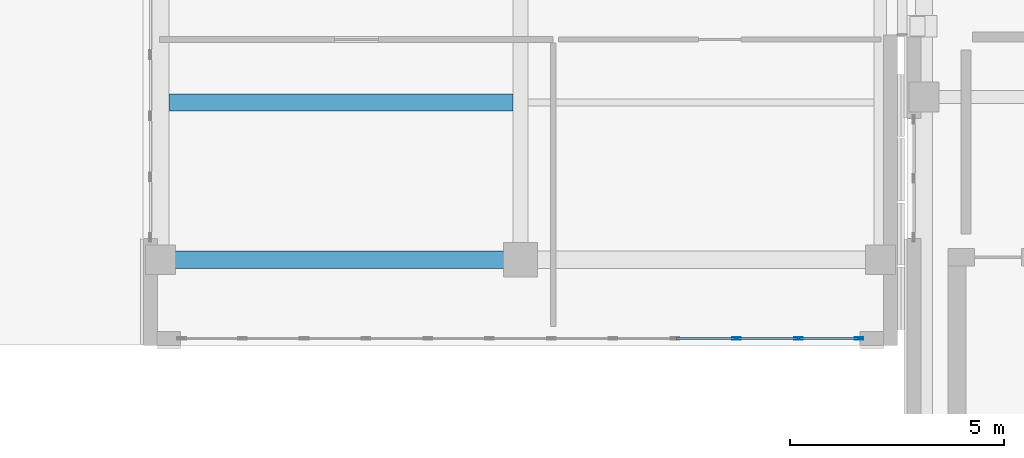
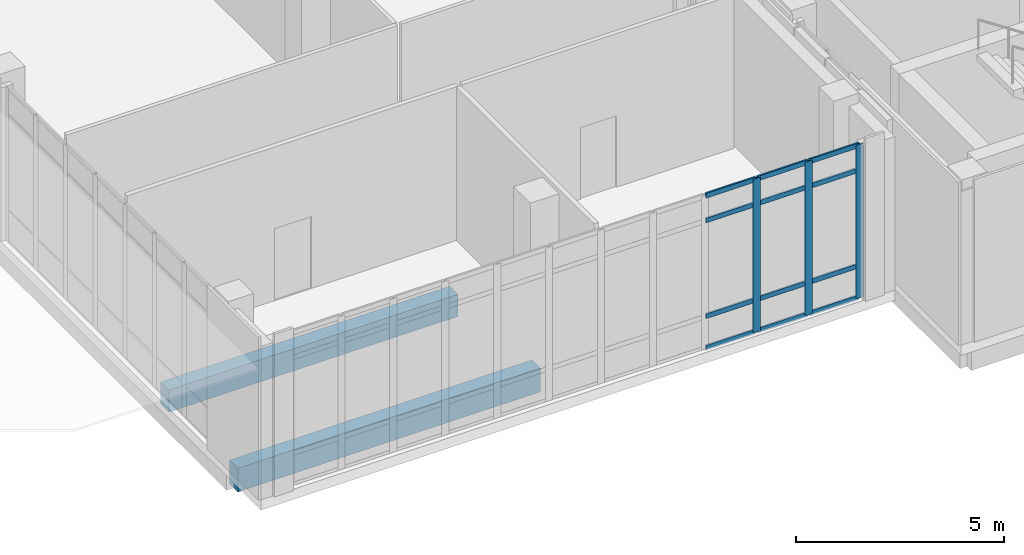
# One storey, part 3 of 189: 15 members, 2 beams, 1 element without a shape of its own.
"""IFC4 building model written with IfcOpenShell, lengths in metres."""

from ifc_helpers import new_model, si_unit, direction, frame, origin, origin_2d, place, context, subcontext, project, spatial, rectangle, hollow_rectangle, extrude, material, layer, layer_set, material_profile, profile_set, type_object, element, aggregate, save


model = new_model("IFC4")

# Units and contexts
model_context = context("Model", 3, precision=1e-05, world=origin(), true_north=direction((0.0, 1.0)))
body_context = subcontext(model_context, "Body", "Model", "MODEL_VIEW")
ifc_project = project(units=[si_unit("LENGTHUNIT", "METRE"), si_unit("AREAUNIT", "SQUARE_METRE"), si_unit("VOLUMEUNIT", "CUBIC_METRE"), si_unit("PLANEANGLEUNIT", "RADIAN"), si_unit("MASSUNIT", "GRAM", prefix="KILO")], contexts=[model_context])

# Site, building, storey
site_placement = place(None, origin())
site = spatial("IfcSite", under=ifc_project, at=site_placement, CompositionType="ELEMENT")
building_placement = place(site_placement, origin())
building = spatial("IfcBuilding", under=site, at=building_placement, Name="Qalavern Law Courts", CompositionType="ELEMENT")
storey_placement = place(building_placement, frame((0.0, 0.0, 5.39990234375)))
storey = spatial("IfcBuildingStorey", under=building, at=storey_placement, Name="L01", CompositionType="ELEMENT", Elevation=5.39990234375)

# Curtain wall, members
ifc_material_1 = material(Name="Anodised aluminium and insulated glazing", Category="aluminium")
ifc_layer = layer(ifc_material_1, 0.199951171875)
ifc_layer_set = layer_set([ifc_layer], Name="Anodised aluminium and insulated glazing")
curtain_wall_type = type_object("IfcCurtainWallType", Name="ENV-CW-FOYER", PredefinedType="USERDEFINED", material=ifc_layer_set)
curtain_wall_placement = place(storey_placement, origin())
curtain_wall = element("IfcCurtainWall", 1, at=curtain_wall_placement, inside=storey, type_object=curtain_wall_type, Name="V1 unitised curtain wall L01 south 1", ObjectType="UNITISED CURTAIN WALL", PredefinedType="USERDEFINED")
ifc_material_2 = material(Name="Anodised aluminium", Category="aluminium")
ifc_material_profile_1 = material_profile(ifc_material_2, hollow_rectangle(XDim=0.048095703125, YDim=0.199951171875, WallThickness=0.00439453125, at=origin_2d()), Name="ALU MULLION 48x200")
ifc_profile_set_1 = profile_set([ifc_material_profile_1], Name="Anodised aluminium")
member_type_1 = type_object("IfcMemberType", Name="ENV-CWM-48x200", PredefinedType="MULLION", material=ifc_profile_set_1)
member_1_placement = place(storey_placement, frame((30.246337890625, 8.16259765625, 0.0), z_axis=(0.0, 0.0, 1.0), x_axis=(0.0, 1.0, 0.0)))
member_1 = element("IfcMember", 2, at=member_1_placement, type_object=member_type_1, Name="CW-01 mullion 10", PredefinedType="MULLION", context=body_context, shape_type="SweptSolid", body=[
    extrude(hollow_rectangle(XDim=0.048095703125, YDim=0.199951171875, WallThickness=0.00439453125, at=origin_2d()), origin(), (0.0, 0.0, 1.0), 4.510009765625),
])
member_2_placement = place(storey_placement, frame((31.688232421875, 8.16259765625, 0.0), z_axis=(0.0, 0.0, 1.0), x_axis=(0.0, 1.0, 0.0)))
member_2 = element("IfcMember", 3, at=member_2_placement, type_object=member_type_1, Name="CW-01 mullion 11", PredefinedType="MULLION", context=body_context, shape_type="SweptSolid", body=[
    extrude(hollow_rectangle(XDim=0.048095703125, YDim=0.199951171875, WallThickness=0.00439453125, at=origin_2d()), origin(), (0.0, 0.0, 1.0), 4.510009765625),
])
member_3_placement = place(storey_placement, frame((33.10595703125, 8.16259765625, 0.0), z_axis=(0.0, 0.0, 1.0), x_axis=(0.0, 1.0, 0.0)))
member_3 = element("IfcMember", 4, at=member_3_placement, type_object=member_type_1, Name="CW-01 mullion 12", PredefinedType="MULLION", context=body_context, shape_type="SweptSolid", body=[
    extrude(hollow_rectangle(XDim=0.048095703125, YDim=0.199951171875, WallThickness=0.00439453125, at=origin_2d()), origin(), (0.0, 0.0, 1.0), 4.510009765625),
])
ifc_material_profile_2 = material_profile(ifc_material_2, hollow_rectangle(XDim=0.048095703125, YDim=0.139892578125, WallThickness=0.00390625, at=origin_2d()), Name="ALU TRANSOM 48x140")
ifc_profile_set_2 = profile_set([ifc_material_profile_2], Name="Anodised aluminium")
member_type_2 = type_object("IfcMemberType", Name="ENV-CWT-48x140", PredefinedType="USERDEFINED", material=ifc_profile_set_2)
member_4_placement = place(storey_placement, frame((28.82861328125, 8.16259765625, 0.024169921875), z_axis=(1.0, 0.0, 0.0), x_axis=(0.0, 1.0, 0.0)))
member_4 = element("IfcMember", 5, at=member_4_placement, type_object=member_type_2, Name="CW-01 transom 9.1", ObjectType="TRANSOM", PredefinedType="USERDEFINED", context=body_context, shape_type="SweptSolid", body=[
    extrude(hollow_rectangle(XDim=0.048095703125, YDim=0.139892578125, WallThickness=0.00390625, at=origin_2d()), origin(), (0.0, 0.0, 1.0), 1.393798828125),
])
member_5_placement = place(storey_placement, frame((28.82861328125, 8.16259765625, 0.9501953125), z_axis=(1.0, 0.0, 0.0), x_axis=(0.0, 1.0, 0.0)))
member_5 = element("IfcMember", 6, at=member_5_placement, type_object=member_type_2, Name="CW-01 transom 9.2", ObjectType="TRANSOM", PredefinedType="USERDEFINED", context=body_context, shape_type="SweptSolid", body=[
    extrude(hollow_rectangle(XDim=0.048095703125, YDim=0.139892578125, WallThickness=0.00390625, at=origin_2d()), origin(), (0.0, 0.0, 1.0), 1.393798828125),
])
member_6_placement = place(storey_placement, frame((28.82861328125, 8.16259765625, 3.760009765625), z_axis=(1.0, 0.0, 0.0), x_axis=(0.0, 1.0, 0.0)))
member_6 = element("IfcMember", 7, at=member_6_placement, type_object=member_type_2, Name="CW-01 transom 9.3", ObjectType="TRANSOM", PredefinedType="USERDEFINED", context=body_context, shape_type="SweptSolid", body=[
    extrude(hollow_rectangle(XDim=0.048095703125, YDim=0.139892578125, WallThickness=0.00390625, at=origin_2d()), origin(), (0.0, 0.0, 1.0), 1.393798828125),
])
member_7_placement = place(storey_placement, frame((28.82861328125, 8.16259765625, 4.486083984375), z_axis=(1.0, 0.0, 0.0), x_axis=(0.0, 1.0, 0.0)))
member_7 = element("IfcMember", 8, at=member_7_placement, type_object=member_type_2, Name="CW-01 transom 9.4", ObjectType="TRANSOM", PredefinedType="USERDEFINED", context=body_context, shape_type="SweptSolid", body=[
    extrude(hollow_rectangle(XDim=0.048095703125, YDim=0.139892578125, WallThickness=0.00390625, at=origin_2d()), origin(), (0.0, 0.0, 1.0), 1.393798828125),
])
member_8_placement = place(storey_placement, frame((30.270263671875, 8.16259765625, 0.024169921875), z_axis=(1.0, 0.0, 0.0), x_axis=(0.0, 1.0, 0.0)))
member_8 = element("IfcMember", 9, at=member_8_placement, type_object=member_type_2, Name="CW-01 transom 10.1", ObjectType="TRANSOM", PredefinedType="USERDEFINED", context=body_context, shape_type="SweptSolid", body=[
    extrude(hollow_rectangle(XDim=0.048095703125, YDim=0.139892578125, WallThickness=0.00390625, at=origin_2d()), origin(), (0.0, 0.0, 1.0), 1.393798828125),
])
member_9_placement = place(storey_placement, frame((30.270263671875, 8.16259765625, 0.9501953125), z_axis=(1.0, 0.0, 0.0), x_axis=(0.0, 1.0, 0.0)))
member_9 = element("IfcMember", 10, at=member_9_placement, type_object=member_type_2, Name="CW-01 transom 10.2", ObjectType="TRANSOM", PredefinedType="USERDEFINED", context=body_context, shape_type="SweptSolid", body=[
    extrude(hollow_rectangle(XDim=0.048095703125, YDim=0.139892578125, WallThickness=0.00390625, at=origin_2d()), origin(), (0.0, 0.0, 1.0), 1.393798828125),
])
member_10_placement = place(storey_placement, frame((30.270263671875, 8.16259765625, 3.760009765625), z_axis=(1.0, 0.0, 0.0), x_axis=(0.0, 1.0, 0.0)))
member_10 = element("IfcMember", 11, at=member_10_placement, type_object=member_type_2, Name="CW-01 transom 10.3", ObjectType="TRANSOM", PredefinedType="USERDEFINED", context=body_context, shape_type="SweptSolid", body=[
    extrude(hollow_rectangle(XDim=0.048095703125, YDim=0.139892578125, WallThickness=0.00390625, at=origin_2d()), origin(), (0.0, 0.0, 1.0), 1.393798828125),
])
member_11_placement = place(storey_placement, frame((30.270263671875, 8.16259765625, 4.486083984375), z_axis=(1.0, 0.0, 0.0), x_axis=(0.0, 1.0, 0.0)))
member_11 = element("IfcMember", 12, at=member_11_placement, type_object=member_type_2, Name="CW-01 transom 10.4", ObjectType="TRANSOM", PredefinedType="USERDEFINED", context=body_context, shape_type="SweptSolid", body=[
    extrude(hollow_rectangle(XDim=0.048095703125, YDim=0.139892578125, WallThickness=0.00390625, at=origin_2d()), origin(), (0.0, 0.0, 1.0), 1.393798828125),
])
member_12_placement = place(storey_placement, frame((31.712158203125, 8.16259765625, 0.024169921875), z_axis=(1.0, 0.0, 0.0), x_axis=(0.0, 1.0, 0.0)))
member_12 = element("IfcMember", 13, at=member_12_placement, type_object=member_type_2, Name="CW-01 transom 11.1", ObjectType="TRANSOM", PredefinedType="USERDEFINED", context=body_context, shape_type="SweptSolid", body=[
    extrude(hollow_rectangle(XDim=0.048095703125, YDim=0.139892578125, WallThickness=0.00390625, at=origin_2d()), origin(), (0.0, 0.0, 1.0), 1.369873046875),
])
member_13_placement = place(storey_placement, frame((31.712158203125, 8.16259765625, 0.9501953125), z_axis=(1.0, 0.0, 0.0), x_axis=(0.0, 1.0, 0.0)))
member_13 = element("IfcMember", 14, at=member_13_placement, type_object=member_type_2, Name="CW-01 transom 11.2", ObjectType="TRANSOM", PredefinedType="USERDEFINED", context=body_context, shape_type="SweptSolid", body=[
    extrude(hollow_rectangle(XDim=0.048095703125, YDim=0.139892578125, WallThickness=0.00390625, at=origin_2d()), origin(), (0.0, 0.0, 1.0), 1.369873046875),
])
member_14_placement = place(storey_placement, frame((31.712158203125, 8.16259765625, 3.760009765625), z_axis=(1.0, 0.0, 0.0), x_axis=(0.0, 1.0, 0.0)))
member_14 = element("IfcMember", 15, at=member_14_placement, type_object=member_type_2, Name="CW-01 transom 11.3", ObjectType="TRANSOM", PredefinedType="USERDEFINED", context=body_context, shape_type="SweptSolid", body=[
    extrude(hollow_rectangle(XDim=0.048095703125, YDim=0.139892578125, WallThickness=0.00390625, at=origin_2d()), origin(), (0.0, 0.0, 1.0), 1.369873046875),
])
member_15_placement = place(storey_placement, frame((31.712158203125, 8.16259765625, 4.486083984375), z_axis=(1.0, 0.0, 0.0), x_axis=(0.0, 1.0, 0.0)))
member_15 = element("IfcMember", 16, at=member_15_placement, type_object=member_type_2, Name="CW-01 transom 11.4", ObjectType="TRANSOM", PredefinedType="USERDEFINED", context=body_context, shape_type="SweptSolid", body=[
    extrude(hollow_rectangle(XDim=0.048095703125, YDim=0.139892578125, WallThickness=0.00390625, at=origin_2d()), origin(), (0.0, 0.0, 1.0), 1.369873046875),
])
aggregate(curtain_wall, [member_1, member_2, member_3, member_4, member_5, member_6, member_7, member_8, member_9, member_10, member_11, member_12, member_13, member_14, member_15])

# Beams
ifc_material_3 = material(Name="Concrete C35/45", Category="concrete")
ifc_material_profile_3 = material_profile(ifc_material_3, rectangle(XDim=0.39990234375, YDim=0.64990234375, at=origin_2d()), Name="RC 400x650")
ifc_profile_set_3 = profile_set([ifc_material_profile_3], Name="Concrete C35/45")
beam_type_1 = type_object("IfcBeamType", Name="STR-JST-RC400x650", PredefinedType="JOIST", material=ifc_profile_set_3)
beam_1_placement = place(storey_placement, frame((16.998046875, 13.666748046875, -0.625), z_axis=(1.0, 0.0, 0.0), x_axis=(0.0, 1.0, 0.0)))
element("IfcBeam", 17, at=beam_1_placement, inside=storey, type_object=beam_type_1, Name="V1 secondary joist 1.1.1 L01", PredefinedType="JOIST", context=body_context, shape_type="SweptSolid", body=[
    extrude(rectangle(XDim=0.39990234375, YDim=0.64990234375, at=origin_2d()), origin(), (0.0, 0.0, 1.0), 8.029052734375),
])
ifc_material_4 = material(Name="Concrete C40/50", Category="concrete")
ifc_material_profile_4 = material_profile(ifc_material_4, rectangle(XDim=0.39990234375, YDim=0.699951171875, at=origin_2d()), Name="RC 400x700")
ifc_profile_set_4 = profile_set([ifc_material_profile_4], Name="Concrete C40/50")
beam_type_2 = type_object("IfcBeamType", Name="STR-SP-RC400x700", PredefinedType="SPANDREL", material=ifc_profile_set_4)
beam_2_placement = place(storey_placement, frame((16.800048828125, 10.0, -0.64990234375), z_axis=(1.0, 0.0, 0.0), x_axis=(0.0, 1.0, 0.0)))
element("IfcBeam", 18, at=beam_2_placement, inside=storey, type_object=beam_type_2, Name="V1 X-beam 1-1 L01", PredefinedType="SPANDREL", context=body_context, shape_type="SweptSolid", body=[
    extrude(rectangle(XDim=0.39990234375, YDim=0.699951171875, at=origin_2d()), origin(), (0.0, 0.0, 1.0), 8.39990234375),
])

save(model, "model.ifc")
